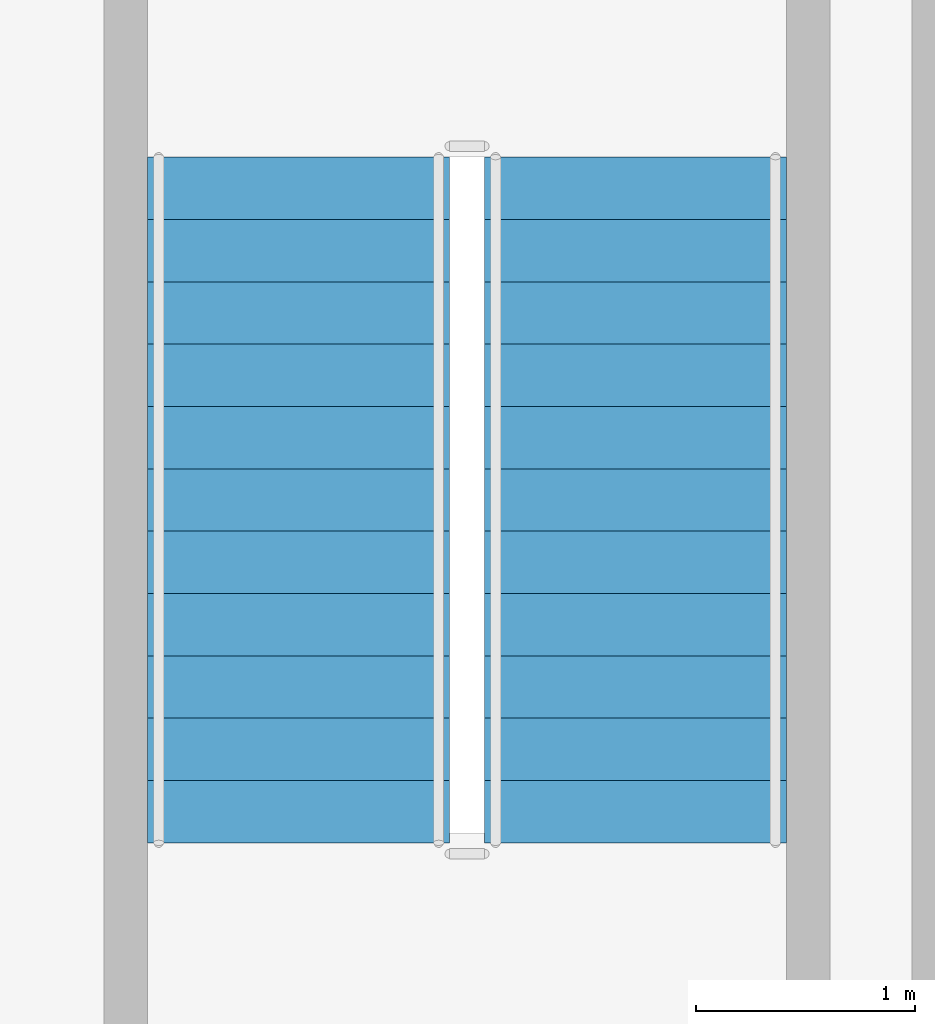
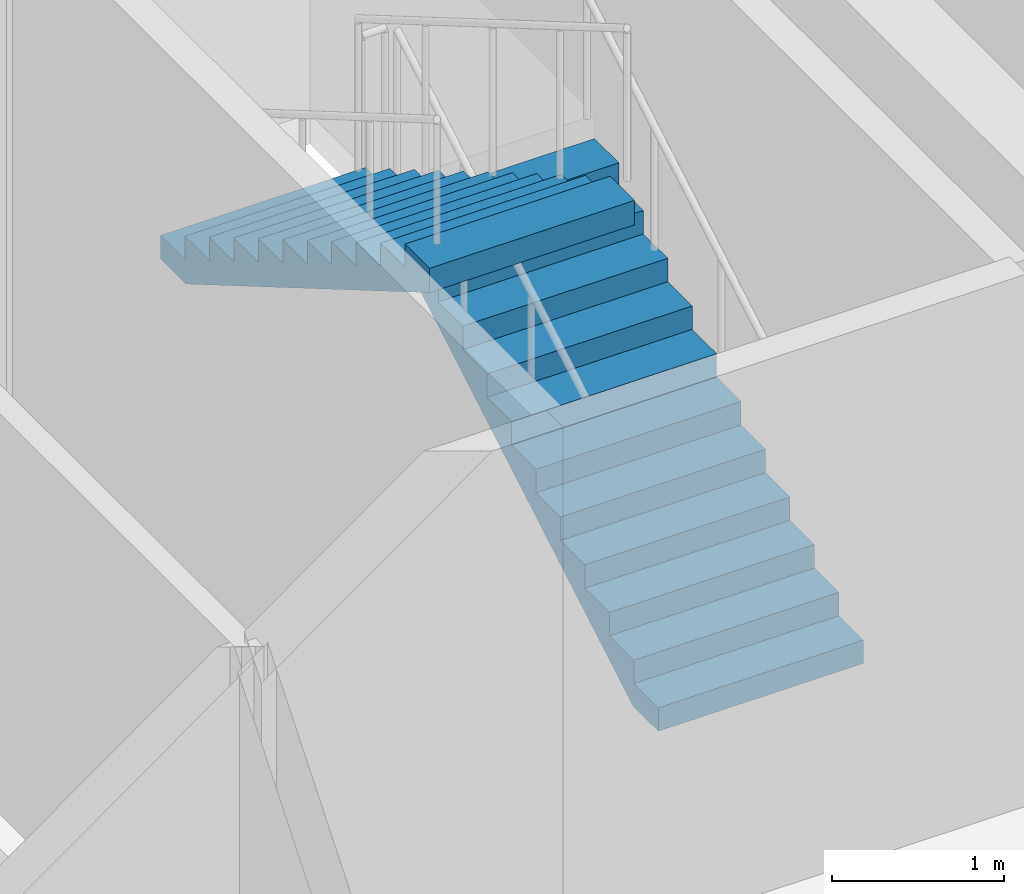
# One storey, part 15 of 19: 2 stair flights, 1 element without a shape of its own.
"""IFC4 building model written with IfcOpenShell, lengths in metres."""

from ifc_helpers import new_model, si_unit, direction, frame, origin, place, context, subcontext, project, spatial, polyline, outline, extrude, material, type_object, element, aggregate, save


model = new_model("IFC4")

# Units and contexts
model_context = context("Model", 3, precision=1e-05, world=origin(), true_north=direction((0.0, 1.0)))
body_context = subcontext(model_context, "Body", "Model", "MODEL_VIEW")
ifc_project = project(units=[si_unit("LENGTHUNIT", "METRE"), si_unit("AREAUNIT", "SQUARE_METRE"), si_unit("VOLUMEUNIT", "CUBIC_METRE"), si_unit("PLANEANGLEUNIT", "RADIAN"), si_unit("MASSUNIT", "GRAM", prefix="KILO")], contexts=[model_context])

# Site, building, storey
site_placement = place(None, origin())
site = spatial("IfcSite", under=ifc_project, at=site_placement, CompositionType="ELEMENT")
building_placement = place(site_placement, origin())
building = spatial("IfcBuilding", under=site, at=building_placement, Name="Kovane Verandah Tower", CompositionType="ELEMENT")
storey_placement = place(building_placement, frame((0.0, 0.0, 255.199951171875)))
storey = spatial("IfcBuildingStorey", under=building, at=storey_placement, Name="L59", CompositionType="ELEMENT", Elevation=255.199951171875)

# Stair, stair flights
ifc_material = material(Name="Concrete C45/55", Category="concrete")
stair_type = type_object("IfcStairType", Name="ST-CORE-1380", PredefinedType="HALF_TURN_STAIR", material=ifc_material)
stair_placement = place(storey_placement, origin())
stair = element("IfcStair", 1, at=stair_placement, inside=storey, type_object=stair_type, Name="L59 Exit Stair ST-02", PredefinedType="HALF_TURN_STAIR")
stair_flight_type = type_object("IfcStairFlightType", Name="STF-CORE-1380", PredefinedType="STRAIGHT", material=ifc_material)
stair_flight_1_placement = place(storey_placement, frame((49.510009765625, 29.25, 0.0), z_axis=(0.0, 0.0, 1.0), x_axis=(0.0, 1.0, 0.0)))
stair_flight_1 = element("IfcStairFlight", 2, at=stair_flight_1_placement, type_object=stair_flight_type, Name="ST-02 flight 1", NumberOfRisers=12, NumberOfTreads=11, PredefinedType="STRAIGHT", RiserHeight=0.166666667, TreadLength=0.285, context=body_context, shape_type="SweptSolid", body=[
    extrude(outline(polyline([(0.0, 0.0), (0.0, 0.166748046875), (0.284912109375, 0.166748046875), (0.284912109375, 0.333251953125), (0.570068359375, 0.333251953125), (0.570068359375, 0.5), (0.85498046875, 0.5), (0.85498046875, 0.666748046875), (1.139892578125, 0.666748046875), (1.139892578125, 0.833251953125), (1.425048828125, 0.833251953125), (1.425048828125, 1.0), (1.7099609375, 1.0), (1.7099609375, 1.166748046875), (1.9951171875, 1.166748046875), (1.9951171875, 1.333251953125), (2.280029296875, 1.333251953125), (2.280029296875, 1.5), (2.56494140625, 1.5), (2.56494140625, 1.666748046875), (2.85009765625, 1.666748046875), (2.85009765625, 1.833251953125), (3.135009765625, 1.833251953125), (3.135009765625, 2.0), (3.135009765625, 1.65966796875), (0.296875, 0.0), (0.0, 0.0)])), frame((0.0, 0.68994140625, 0.0), z_axis=(0.0, -1.0, 0.0), x_axis=(1.0, 0.0, 0.0)), (0.0, 0.0, 1.0), 1.3798828125),
])
stair_flight_2_placement = place(storey_placement, frame((47.969970703125, 32.385009765625, 2.0), z_axis=(0.0, 0.0, 1.0), x_axis=(0.0, -1.0, 0.0)))
stair_flight_2 = element("IfcStairFlight", 3, at=stair_flight_2_placement, type_object=stair_flight_type, Name="ST-02 flight 2", NumberOfRisers=12, NumberOfTreads=11, PredefinedType="STRAIGHT", RiserHeight=0.166666667, TreadLength=0.285, context=body_context, shape_type="SweptSolid", body=[
    extrude(outline(polyline([(0.0, 0.0), (0.0, 0.166748046875), (0.284912109375, 0.166748046875), (0.284912109375, 0.333251953125), (0.570068359375, 0.333251953125), (0.570068359375, 0.5), (0.85498046875, 0.5), (0.85498046875, 0.666748046875), (1.139892578125, 0.666748046875), (1.139892578125, 0.833251953125), (1.425048828125, 0.833251953125), (1.425048828125, 1.0), (1.7099609375, 1.0), (1.7099609375, 1.166748046875), (1.9951171875, 1.166748046875), (1.9951171875, 1.333251953125), (2.280029296875, 1.333251953125), (2.280029296875, 1.5), (2.56494140625, 1.5), (2.56494140625, 1.666748046875), (2.85009765625, 1.666748046875), (2.85009765625, 1.833251953125), (3.135009765625, 1.833251953125), (3.135009765625, 2.0), (3.135009765625, 1.65966796875), (0.296875, 0.0), (0.0, 0.0)])), frame((0.0, 0.68994140625, 0.0), z_axis=(0.0, -1.0, 0.0), x_axis=(1.0, 0.0, 0.0)), (0.0, 0.0, 1.0), 1.3798828125),
])
aggregate(stair, [stair_flight_1, stair_flight_2])

save(model, "model.ifc")
